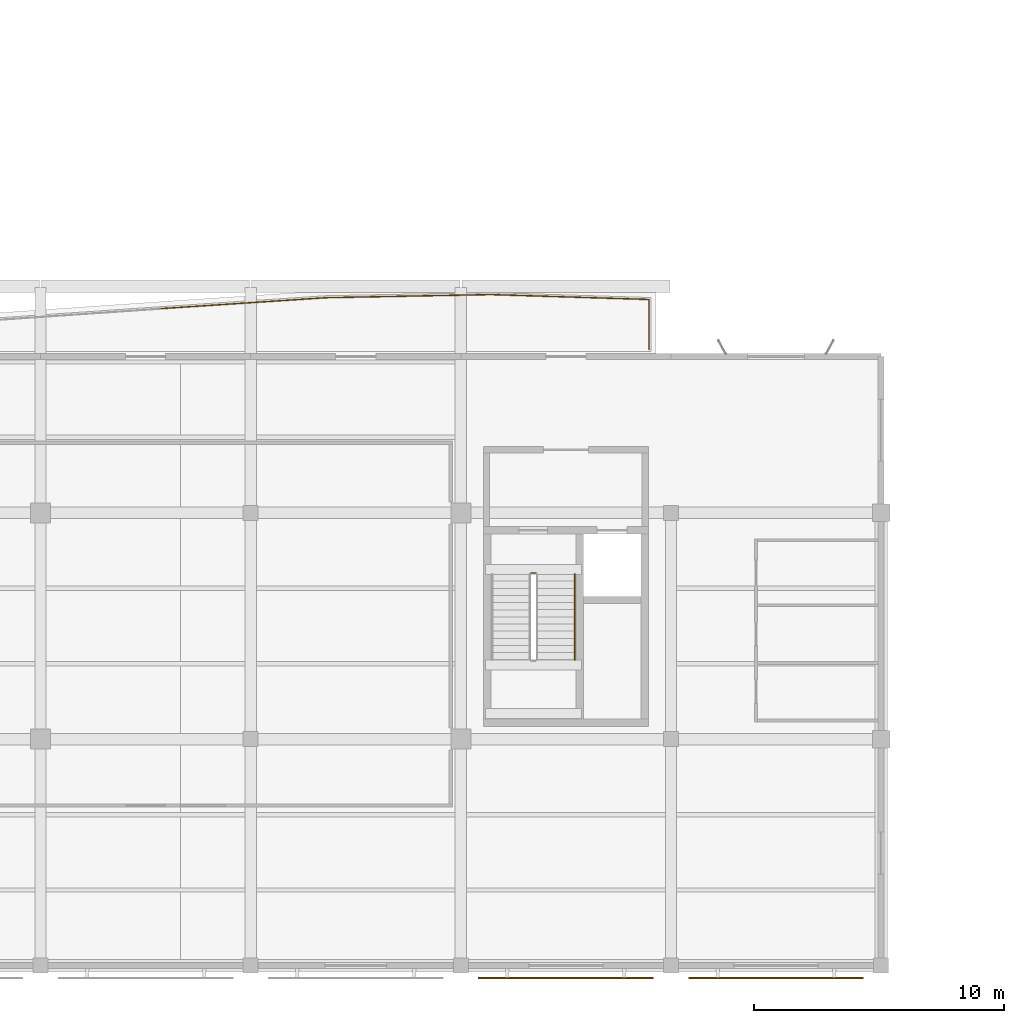
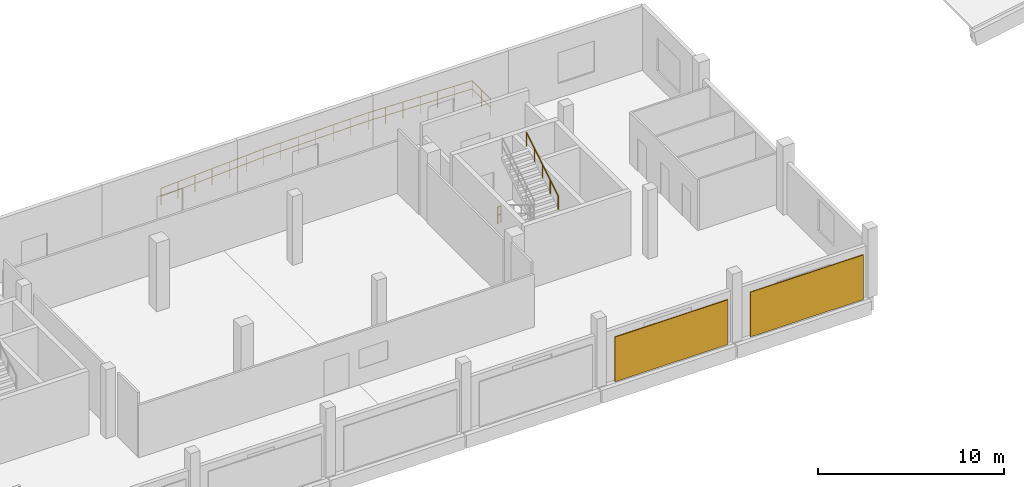
# One storey, part 29 of 34: 6 railings, 2 shading devices.
"""IFC4 building model written with IfcOpenShell, lengths in metres."""

from ifc_helpers import new_model, si_unit, direction, frame, origin, origin_2d, place, context, subcontext, project, spatial, rectangle, circle, extrude, material, layer, layer_set, type_object, element, save


model = new_model("IFC4")

# Units and contexts
model_context = context("Model", 3, precision=1e-05, world=origin(), true_north=direction((0.0, 1.0)))
body_context = subcontext(model_context, "Body", "Model", "MODEL_VIEW")
ifc_project = project(units=[si_unit("LENGTHUNIT", "METRE"), si_unit("AREAUNIT", "SQUARE_METRE"), si_unit("VOLUMEUNIT", "CUBIC_METRE"), si_unit("PLANEANGLEUNIT", "RADIAN"), si_unit("MASSUNIT", "GRAM", prefix="KILO")], contexts=[model_context])

# Site, building, storey
site_placement = place(None, origin())
site = spatial("IfcSite", under=ifc_project, at=site_placement, CompositionType="ELEMENT")
building_placement = place(site_placement, origin())
building = spatial("IfcBuilding", under=site, at=building_placement, Name="Khurvash Pelagic Aquarium", CompositionType="ELEMENT")
storey_placement = place(building_placement, frame((0.0, 0.0, 15.60009765625)))
storey = spatial("IfcBuildingStorey", under=building, at=storey_placement, Name="L03", CompositionType="ELEMENT", Elevation=15.60009765625)

# Railings
ifc_material_1 = material(Name="Laminated glass and stainless steel 316", Category="steel")
railing_type_1 = type_object("IfcRailingType", Name="BL-01", PredefinedType="BALUSTRADE", material=ifc_material_1)
railing_1_placement = place(storey_placement, frame((80.4189453125, 28.863037109375, 0.0)))
element("IfcRailing", 1, at=railing_1_placement, inside=storey, type_object=railing_type_1, Name="L03 Planted Terrace Perimeter Balustrade BL-01 0044", PredefinedType="BALUSTRADE", context=body_context, shape_type="SweptSolid", body=[
    extrude(circle(Radius=0.02392578125, at=origin_2d()), frame((0.0, 0.0, 1.076171875), z_axis=(0.997810426648, 0.06613888775, 0.0), x_axis=(-0.06613888775, 0.997810426648, 0.0)), (0.0, 0.0, 1.0), 6.607421875),
    extrude(circle(Radius=0.02392578125, at=origin_2d()), frame((0.0, 0.0, 0.5380859375), z_axis=(0.997810426648, 0.06613888775, 0.0), x_axis=(-0.06613888775, 0.997810426648, 0.0)), (0.0, 0.0, 1.0), 6.607421875),
    extrude(circle(Radius=0.02099609375, at=origin_2d()), origin(), (0.0, 0.0, 1.0), 1.052001953125),
    extrude(circle(Radius=0.02099609375, at=origin_2d()), frame((1.098876953125, 0.07275390625, 0.0)), (0.0, 0.0, 1.0), 1.052001953125),
    extrude(circle(Radius=0.02099609375, at=origin_2d()), frame((2.19775390625, 0.145751953125, 0.0)), (0.0, 0.0, 1.0), 1.052001953125),
    extrude(circle(Radius=0.02099609375, at=origin_2d()), frame((3.29638671875, 0.218505859375, 0.0)), (0.0, 0.0, 1.0), 1.052001953125),
    extrude(circle(Radius=0.02099609375, at=origin_2d()), frame((4.395263671875, 0.291259765625, 0.0)), (0.0, 0.0, 1.0), 1.052001953125),
    extrude(circle(Radius=0.02099609375, at=origin_2d()), frame((5.494140625, 0.3642578125, 0.0)), (0.0, 0.0, 1.0), 1.052001953125),
    extrude(circle(Radius=0.02099609375, at=origin_2d()), frame((6.593017578125, 0.43701171875, 0.0)), (0.0, 0.0, 1.0), 1.052001953125),
])
railing_2_placement = place(storey_placement, frame((87.011962890625, 29.300048828125, 0.0)))
element("IfcRailing", 2, at=railing_2_placement, inside=storey, type_object=railing_type_1, Name="L03 Planted Terrace Perimeter Balustrade BL-01 0045", PredefinedType="BALUSTRADE", context=body_context, shape_type="SweptSolid", body=[
    extrude(circle(Radius=0.02392578125, at=origin_2d()), frame((0.0, 0.0, 1.076171875), z_axis=(0.999819931601, 0.018976416258, 0.0), x_axis=(-0.018976416258, 0.999819931601, 0.0)), (0.0, 0.0, 1.0), 6.587158203125),
    extrude(circle(Radius=0.02392578125, at=origin_2d()), frame((0.0, 0.0, 0.5380859375), z_axis=(0.999819931601, 0.018976416258, 0.0), x_axis=(-0.018976416258, 0.999819931601, 0.0)), (0.0, 0.0, 1.0), 6.587158203125),
    extrude(circle(Radius=0.02099609375, at=origin_2d()), origin(), (0.0, 0.0, 1.0), 1.052001953125),
    extrude(circle(Radius=0.02099609375, at=origin_2d()), frame((1.09765625, 0.020751953125, 0.0)), (0.0, 0.0, 1.0), 1.052001953125),
    extrude(circle(Radius=0.02099609375, at=origin_2d()), frame((2.1953125, 0.041748046875, 0.0)), (0.0, 0.0, 1.0), 1.052001953125),
    extrude(circle(Radius=0.02099609375, at=origin_2d()), frame((3.29296875, 0.0625, 0.0)), (0.0, 0.0, 1.0), 1.052001953125),
    extrude(circle(Radius=0.02099609375, at=origin_2d()), frame((4.390625, 0.083251953125, 0.0)), (0.0, 0.0, 1.0), 1.052001953125),
    extrude(circle(Radius=0.02099609375, at=origin_2d()), frame((5.48828125, 0.104248046875, 0.0)), (0.0, 0.0, 1.0), 1.052001953125),
    extrude(circle(Radius=0.02099609375, at=origin_2d()), frame((6.5859375, 0.125, 0.0)), (0.0, 0.0, 1.0), 1.052001953125),
])
railing_3_placement = place(storey_placement, frame((93.597900390625, 29.425048828125, 0.0)))
element("IfcRailing", 3, at=railing_3_placement, inside=storey, type_object=railing_type_1, Name="L03 Planted Terrace Perimeter Balustrade BL-01 0046", PredefinedType="BALUSTRADE", context=body_context, shape_type="SweptSolid", body=[
    extrude(circle(Radius=0.02392578125, at=origin_2d()), frame((0.0, 0.0, 1.076171875), z_axis=(0.999519541163, -0.030994948506, 0.0), x_axis=(0.030994948506, 0.999519541163, 0.0)), (0.0, 0.0, 1.0), 6.324951171875),
    extrude(circle(Radius=0.02392578125, at=origin_2d()), frame((0.0, 0.0, 0.5380859375), z_axis=(0.999519541163, -0.030994948506, 0.0), x_axis=(0.030994948506, 0.999519541163, 0.0)), (0.0, 0.0, 1.0), 6.324951171875),
    extrude(circle(Radius=0.02099609375, at=origin_2d()), origin(), (0.0, 0.0, 1.0), 1.052001953125),
    extrude(circle(Radius=0.02099609375, at=origin_2d()), frame((1.0537109375, -0.03271484375, 0.0)), (0.0, 0.0, 1.0), 1.052001953125),
    extrude(circle(Radius=0.02099609375, at=origin_2d()), frame((2.107421875, -0.0654296875, 0.0)), (0.0, 0.0, 1.0), 1.052001953125),
    extrude(circle(Radius=0.02099609375, at=origin_2d()), frame((3.1611328125, -0.09814453125, 0.0)), (0.0, 0.0, 1.0), 1.052001953125),
    extrude(circle(Radius=0.02099609375, at=origin_2d()), frame((4.214599609375, -0.130615234375, 0.0)), (0.0, 0.0, 1.0), 1.052001953125),
    extrude(circle(Radius=0.02099609375, at=origin_2d()), frame((5.268310546875, -0.163330078125, 0.0)), (0.0, 0.0, 1.0), 1.052001953125),
    extrude(circle(Radius=0.02099609375, at=origin_2d()), frame((6.322021484375, -0.196044921875, 0.0)), (0.0, 0.0, 1.0), 1.052001953125),
])
railing_4_placement = place(storey_placement, frame((99.919921875, 29.22900390625, 0.0)))
element("IfcRailing", 4, at=railing_4_placement, inside=storey, type_object=railing_type_1, Name="L03 Planted Terrace Perimeter Balustrade BL-01 0047", PredefinedType="BALUSTRADE", context=body_context, shape_type="SweptSolid", body=[
    extrude(circle(Radius=0.02392578125, at=origin_2d()), frame((0.0, 0.0, 1.076171875), z_axis=(0.0, -1.0, 0.0), x_axis=(1.0, 0.0, 0.0)), (0.0, 0.0, 1.0), 1.9990234375),
    extrude(circle(Radius=0.02392578125, at=origin_2d()), frame((0.0, 0.0, 0.5380859375), z_axis=(0.0, -1.0, 0.0), x_axis=(1.0, 0.0, 0.0)), (0.0, 0.0, 1.0), 1.9990234375),
    extrude(circle(Radius=0.02099609375, at=origin_2d()), origin(), (0.0, 0.0, 1.0), 1.052001953125),
    extrude(circle(Radius=0.02099609375, at=origin_2d()), frame((0.0, -0.99951171875, 0.0)), (0.0, 0.0, 1.0), 1.052001953125),
    extrude(circle(Radius=0.02099609375, at=origin_2d()), frame((0.0, -1.9990234375, 0.0)), (0.0, 0.0, 1.0), 1.052001953125),
])
ifc_material_2 = material(Name="Powder-coated galvanised steel S355J2", Category="steel")
railing_type_2 = type_object("IfcRailingType", Name="GR-01", PredefinedType="GUARDRAIL", material=ifc_material_2)
railing_5_placement = place(storey_placement, frame((95.199951171875, 18.300048828125, 0.0)))
element("IfcRailing", 5, at=railing_5_placement, inside=storey, type_object=railing_type_2, Name="L03 ST-03 stair guard 4", PredefinedType="GUARDRAIL", context=body_context, shape_type="SweptSolid", body=[
    extrude(circle(Radius=0.02392578125, at=origin_2d()), frame((0.0, 0.0, 1.076171875), z_axis=(1.0, 0.0, 0.0), x_axis=(0.0, 1.0, 0.0)), (0.0, 0.0, 1.0), 0.199951171875),
    extrude(circle(Radius=0.02392578125, at=origin_2d()), frame((0.0, 0.0, 0.5380859375), z_axis=(1.0, 0.0, 0.0), x_axis=(0.0, 1.0, 0.0)), (0.0, 0.0, 1.0), 0.199951171875),
    extrude(circle(Radius=0.02099609375, at=origin_2d()), origin(), (0.0, 0.0, 1.0), 1.052001953125),
    extrude(circle(Radius=0.02099609375, at=origin_2d()), frame((0.199951171875, 0.0, 0.0)), (0.0, 0.0, 1.0), 1.052001953125),
])
ifc_material_3 = material(Name="Brushed stainless steel 316", Category="steel")
railing_type_3 = type_object("IfcRailingType", Name="HR-01", PredefinedType="HANDRAIL", material=ifc_material_3)
railing_6_placement = place(storey_placement, frame((96.949951171875, 14.830078125, 2.423095703125)))
element("IfcRailing", 6, at=railing_6_placement, inside=storey, type_object=railing_type_3, Name="L03 ST-03 stair handrail 2", PredefinedType="HANDRAIL", context=body_context, shape_type="SweptSolid", body=[
    extrude(circle(Radius=0.02392578125, at=origin_2d()), frame((0.0, 0.0, 0.8759765625), z_axis=(0.0, 0.854729506542, 0.519073665916), x_axis=(-1.0, 0.0, 0.0)), (0.0, 0.0, 1.0), 4.001220703125),
    extrude(circle(Radius=0.02099609375, at=origin_2d()), origin(), (0.0, 0.0, 1.0), 0.851806640625),
    extrude(circle(Radius=0.02099609375, at=origin_2d()), frame((0.0, 0.85498046875, 0.519287109375)), (0.0, 0.0, 1.0), 0.851806640625),
    extrude(circle(Radius=0.02099609375, at=origin_2d()), frame((0.0, 1.7099609375, 1.03857421875)), (0.0, 0.0, 1.0), 0.851806640625),
    extrude(circle(Radius=0.02099609375, at=origin_2d()), frame((0.0, 2.56494140625, 1.5576171875)), (0.0, 0.0, 1.0), 0.851806640625),
    extrude(circle(Radius=0.02099609375, at=origin_2d()), frame((0.0, 3.419921875, 2.076904296875)), (0.0, 0.0, 1.0), 0.851806640625),
])

# Shading devices
ifc_material_4 = material(Name="Perforated anodised aluminium AW-5005", Category="aluminium")
ifc_layer = layer(ifc_material_4, 0.06005859375)
ifc_layer_set = layer_set([ifc_layer], Name="Perforated anodised aluminium AW-5005")
shading_device_type = type_object("IfcShadingDeviceType", Name="SH-JAL", PredefinedType="JALOUSIE", material=ifc_layer_set)
for number, where, z_axis, x_axis, name in (
    (7, (96.60009765625, 2.10009765625, 0.19970703125), (0.0, 0.0, 1.0), (1.0, 0.0, 0.0), "L03 Perforated Aluminium Jali Screen SH-JAL 0041"),
    (8, (105.0, 2.10009765625, 0.19970703125), (0.0, 0.0, 1.0), (1.0, 0.0, 0.0), "L03 Perforated Aluminium Jali Screen SH-JAL 0042"),
):
    element("IfcShadingDevice", number, at=place(storey_placement, frame(where, z_axis=z_axis, x_axis=x_axis)), inside=storey, type_object=shading_device_type, Name=name, PredefinedType="JALOUSIE", context=body_context, shape_type="SweptSolid", body=[
        extrude(rectangle(XDim=6.989990234375, YDim=0.06005859375, at=origin_2d()), origin(), (0.0, 0.0, 1.0), 2.929931640625),
    ])

save(model, "model.ifc")
